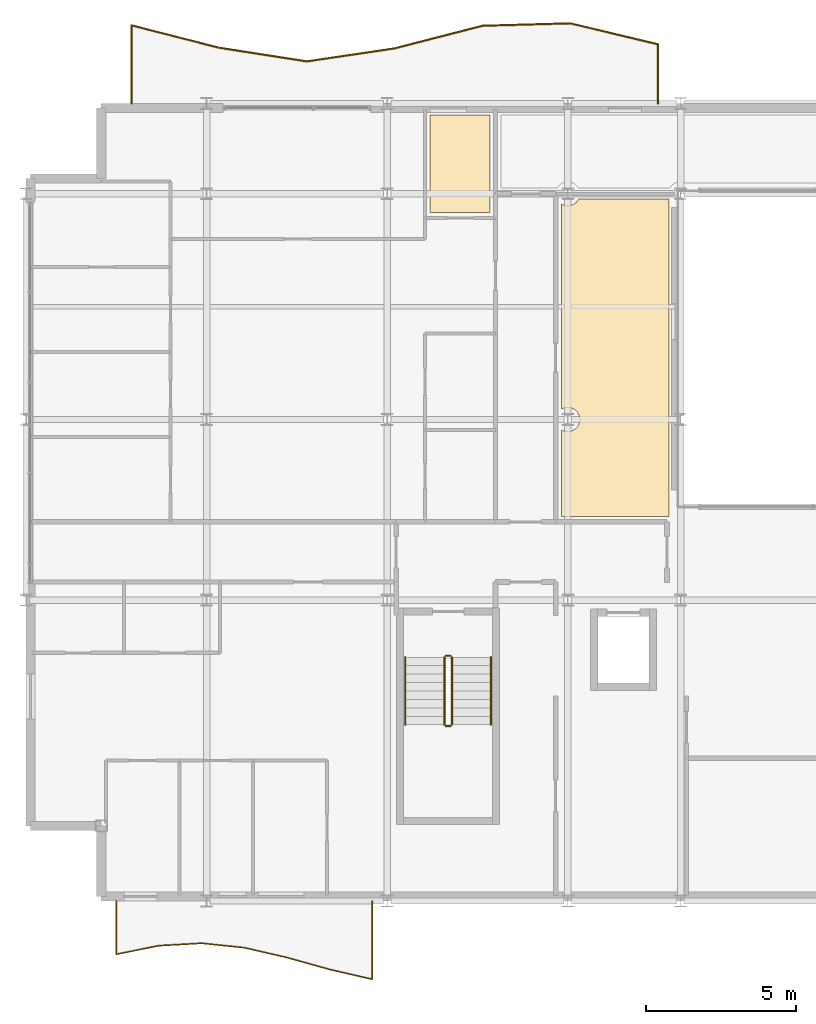
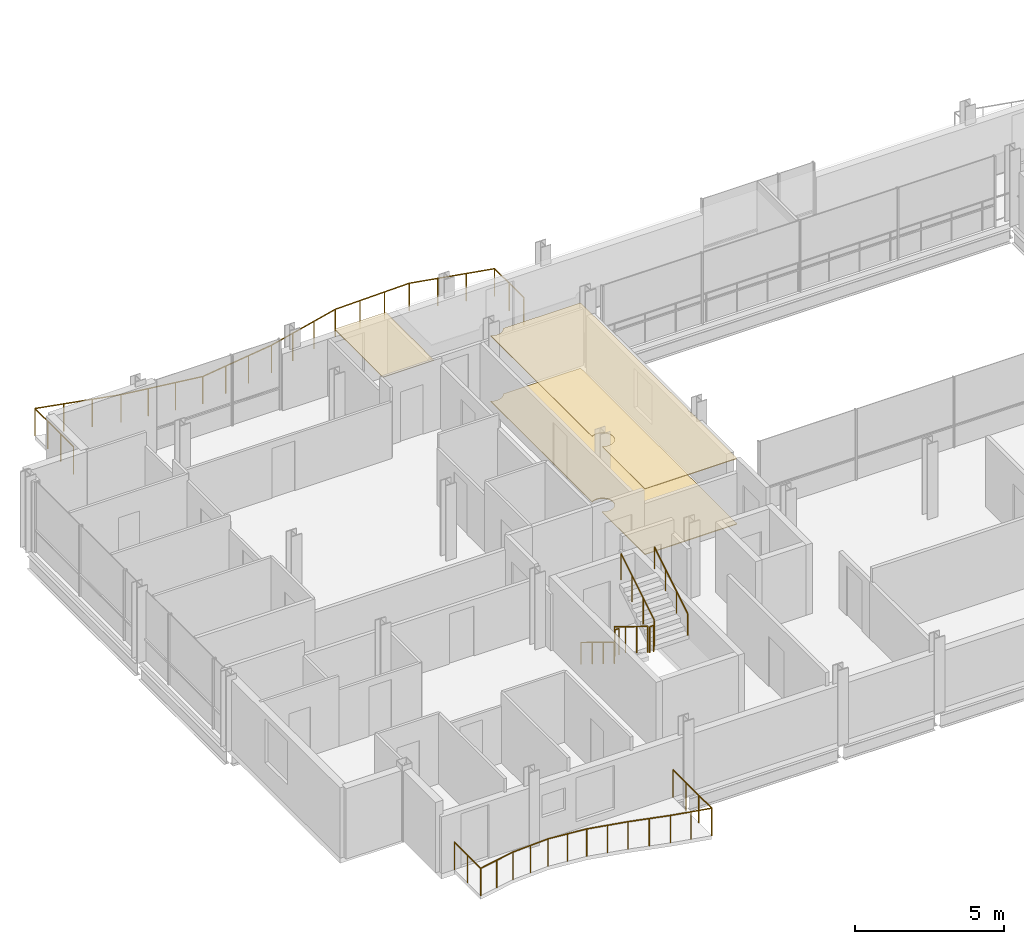
# One storey, part 33 of 35: 8 railings, 3 coverings.
"""IFC4 building model written with IfcOpenShell, lengths in metres."""

import ifcopenshell
import ifcopenshell.guid

model = None  # the IFC model being written
_history = None  # IfcOwnerHistory: only IFC2X3 demands one
_inside = {}  # id of a spatial element -> (the spatial element, [elements in it])
_under = {}  # id of a project, library or spatial element -> (it, [spatial elements below it])
_declared = {}  # id of a project -> (the project, [libraries it declares])
_typed = {}  # id of a type object -> (the type object, [elements of that type])
_made_of = {}  # id of a material, layer set ... -> (it, [elements and type objects made of it])


def new_model(schema):
    """Start an empty IFC model of exactly this schema.

    Asked for "IFC4X3", IfcOpenShell would pick the latest addendum, in which some entities
    have other attributes; the version numbers below select the first issue.
    IFC2X3 requires an IfcOwnerHistory on every rooted entity: one is made here for all.
    """
    global model, _history
    if schema == "IFC4X3":
        model = ifcopenshell.file(schema_version=(4, 3, 0, 0))
    else:
        model = ifcopenshell.file(schema=schema)
    _inside.clear()
    _under.clear()
    _declared.clear()
    _typed.clear()
    _made_of.clear()
    _history = None
    if model.schema == "IFC2X3":
        org = make("IfcOrganization", Name="unknown")
        user = make(
            "IfcPersonAndOrganization",
            ThePerson=make("IfcPerson", FamilyName="unknown"),
            TheOrganization=org,
        )
        app = make(
            "IfcApplication",
            ApplicationDeveloper=org,
            Version="unknown",
            ApplicationFullName="unknown",
            ApplicationIdentifier="unknown",
        )
        _history = make(
            "IfcOwnerHistory",
            OwningUser=user,
            OwningApplication=app,
            ChangeAction="ADDED",
            CreationDate=0,
        )
    return model


def make(cls, **values):
    """One entity of the class cls with the attributes given. An attribute that is None is left unset."""
    return model.create_entity(
        cls, **{name: value for name, value in values.items() if value is not None}
    )


def rooted(cls, **values):
    """An entity with a GlobalId (a new one), such as an element, a storey or a relation."""
    return make(cls, GlobalId=ifcopenshell.guid.new(), OwnerHistory=_history, **values)


def si_unit(unit_type, name, prefix=None):
    """IfcSIUnit, for example si_unit("LENGTHUNIT", "METRE", prefix="MILLI")."""
    return make("IfcSIUnit", UnitType=unit_type, Prefix=prefix, Name=name)


def assignment(units):
    """IfcUnitAssignment: the units of a project."""
    return None if units is None else make("IfcUnitAssignment", Units=units)


def point(xyz):
    """IfcCartesianPoint."""
    return None if xyz is None else make("IfcCartesianPoint", Coordinates=xyz)


def direction(xyz):
    """IfcDirection."""
    return None if xyz is None else make("IfcDirection", DirectionRatios=xyz)


def frame(location, z_axis=None, x_axis=None):
    """IfcAxis2Placement3D, a coordinate frame: its origin and axes. An axis left out is left unset."""
    return make(
        "IfcAxis2Placement3D",
        Location=point(location),
        Axis=direction(z_axis),
        RefDirection=direction(x_axis),
    )


def frame_2d(location, x_axis=None):
    """IfcAxis2Placement2D, a coordinate frame in the plane: its origin and x axis."""
    return make(
        "IfcAxis2Placement2D", Location=point(location), RefDirection=direction(x_axis)
    )


def origin():
    """The frame at (0, 0, 0) with its axes left unset."""
    return frame((0.0, 0.0, 0.0))


def origin_2d():
    """The frame at (0, 0) in the plane with its x axis left unset."""
    return frame_2d((0.0, 0.0))


def place(relative_to, where):
    """IfcLocalPlacement: puts the frame where relative to a parent placement (None: the world)."""
    return make(
        "IfcLocalPlacement", PlacementRelTo=relative_to, RelativePlacement=where
    )


def context(
    kind, dimensions, precision=None, world=None, true_north=None, identifier=None
):
    """IfcGeometricRepresentationContext, for example the 3D "Model" context."""
    return make(
        "IfcGeometricRepresentationContext",
        ContextIdentifier=identifier,
        ContextType=kind,
        CoordinateSpaceDimension=dimensions,
        Precision=precision,
        WorldCoordinateSystem=world,
        TrueNorth=true_north,
    )


def subcontext(parent, identifier, kind, view, scale=None):
    """IfcGeometricRepresentationSubContext, for example "Body" below "Model"."""
    return make(
        "IfcGeometricRepresentationSubContext",
        ContextIdentifier=identifier,
        ContextType=kind,
        ParentContext=parent,
        TargetScale=scale,
        TargetView=view,
    )


def project(units=None, contexts=None):
    """IfcProject with its units and contexts."""
    return rooted(
        "IfcProject",
        Name="project",
        RepresentationContexts=contexts,
        UnitsInContext=assignment(units),
    )


def spatial(cls, under=None, at=None, **own):
    """A site, building, storey or space (cls), placed at a placement, below another one or the project."""
    s = rooted(cls, ObjectPlacement=at, **own)
    if under is not None:
        _under.setdefault(under.id(), (under, []))[1].append(s)
    return s


def polyline(points):
    """IfcPolyline through the points."""
    return make("IfcPolyline", Points=[point(p) for p in points])


def profile(cls, at=None, kind="AREA", **sizes):
    """A parametric profile (cls). Its sizes go by their IFC names, for example OverallWidth=200.0."""
    return make(cls, ProfileType=kind, Position=at, **sizes)


def circle(**sizes):
    """IfcCircleProfileDef."""
    return profile("IfcCircleProfileDef", **sizes)


def outline(outer, holes=None, kind="AREA"):
    """IfcArbitraryClosedProfileDef: a profile drawn as a closed curve; with holes, ...WithVoids."""
    if holes is None:
        return make("IfcArbitraryClosedProfileDef", ProfileType=kind, OuterCurve=outer)
    return make(
        "IfcArbitraryProfileDefWithVoids",
        ProfileType=kind,
        OuterCurve=outer,
        InnerCurves=holes,
    )


def extrude(swept, where, along, depth):
    """IfcExtrudedAreaSolid: the profile swept, set in the frame where, extruded along a direction by depth."""
    return make(
        "IfcExtrudedAreaSolid",
        SweptArea=swept,
        Position=where,
        ExtrudedDirection=direction(along),
        Depth=depth,
    )


def shape(context_of_items, identifier, shape_type, items):
    """IfcShapeRepresentation: the items that make up one representation, for example the "Body"."""
    return make(
        "IfcShapeRepresentation",
        ContextOfItems=context_of_items,
        RepresentationIdentifier=identifier,
        RepresentationType=shape_type,
        Items=items,
    )


def material(Name=None, Category=None):
    """IfcMaterial."""
    return make("IfcMaterial", Name=Name, Category=Category)


def layer(
    of_material, thickness, ventilated=None, Name=None, Category=None, Priority=None
):
    """IfcMaterialLayer: one layer of a wall or slab, of a material (None: an air gap)."""
    return make(
        "IfcMaterialLayer",
        Material=of_material,
        LayerThickness=thickness,
        IsVentilated=ventilated,
        Name=Name,
        Category=Category,
        Priority=Priority,
    )


def layer_set(layers, Name=None):
    """IfcMaterialLayerSet."""
    return make("IfcMaterialLayerSet", MaterialLayers=layers, LayerSetName=Name)


def made_of(thing, what):
    """Note that an element or type object is made of a material, layer set ...; save() writes the relation."""
    if what is not None:
        _made_of.setdefault(what.id(), (what, []))[1].append(thing)
    return thing


def type_object(cls, material=None, **own):
    """A type object (cls), such as IfcWallType, which elements share."""
    return made_of(rooted(cls, **own), material)


def element(
    cls,
    number,
    at=None,
    inside=None,
    cuts=None,
    type_object=None,
    material=None,
    context=None,
    identifier="Body",
    shape_type=None,
    held_by="IfcProductDefinitionShape",
    body=None,
    shapes=None,
    **own,
):
    """One element of the class cls, such as IfcWall. Its Tag is "e" and its number.

    at: its placement. inside: the storey or other place that contains it. cuts: it is an
    opening in that element (IfcRelVoidsElement). A single representation is given by context,
    identifier, shape_type and body (its items); several are given by shapes. held_by: the class
    of the entity that holds the representations. save() writes the other relations.
    """
    e = rooted(cls, Tag="e%d" % number, ObjectPlacement=at, **own)
    if body is not None:
        shapes = [shape(context, identifier, shape_type, body)]
    if shapes is not None:
        e.Representation = make(held_by, Representations=shapes)
    if inside is not None:
        _inside.setdefault(inside.id(), (inside, []))[1].append(e)
    if cuts is not None:
        rooted(
            "IfcRelVoidsElement", RelatingBuildingElement=cuts, RelatedOpeningElement=e
        )
    if type_object is not None:
        _typed.setdefault(type_object.id(), (type_object, []))[1].append(e)
    return made_of(e, material)


def aggregate(whole, parts):
    """IfcRelAggregates: a whole, such as a stair, and the parts it consists of."""
    return rooted("IfcRelAggregates", RelatingObject=whole, RelatedObjects=parts)


def save(model, path):
    """Write the relations noted so far, then the file.

    IfcRelAggregates (storeys below a building ...), IfcRelContainedInSpatialStructure (elements
    in a storey), IfcRelDefinesByType, IfcRelAssociatesMaterial and IfcRelDeclares: one each for
    every whole, place, type object, material and project.
    """
    for whole, parts in _under.values():
        aggregate(whole, parts)
    for where, things in _inside.values():
        rooted(
            "IfcRelContainedInSpatialStructure",
            RelatedElements=things,
            RelatingStructure=where,
        )
    for kind, things in _typed.values():
        rooted("IfcRelDefinesByType", RelatedObjects=things, RelatingType=kind)
    for what, things in _made_of.values():
        rooted("IfcRelAssociatesMaterial", RelatedObjects=things, RelatingMaterial=what)
    for by, libraries in _declared.values():
        rooted("IfcRelDeclares", RelatingContext=by, RelatedDefinitions=libraries)
    model.write(path)


model = new_model("IFC4")

# Units and contexts
model_context = context("Model", 3, precision=1e-05, world=origin(), true_north=direction((0.0, 1.0)))
body_context = subcontext(model_context, "Body", "Model", "MODEL_VIEW")
ifc_project = project(units=[si_unit("LENGTHUNIT", "METRE"), si_unit("AREAUNIT", "SQUARE_METRE"), si_unit("VOLUMEUNIT", "CUBIC_METRE"), si_unit("PLANEANGLEUNIT", "RADIAN"), si_unit("MASSUNIT", "GRAM", prefix="KILO")], contexts=[model_context])

# Site, building, storey
site_placement = place(None, origin())
site = spatial("IfcSite", under=ifc_project, at=site_placement, CompositionType="ELEMENT")
building_placement = place(site_placement, origin())
building = spatial("IfcBuilding", under=site, at=building_placement, Name="Brevholm Reach", CompositionType="ELEMENT")
storey_placement = place(building_placement, frame((0.0, 0.0, 183.199951171875)))
storey = spatial("IfcBuildingStorey", under=building, at=storey_placement, Name="L55", CompositionType="ELEMENT", Elevation=183.199951171875)

# Coverings
ifc_material_1 = material(Name="Moisture-Resistant Skimmed Gypsum Plasterboard Ceiling", Category="gypsum")
ifc_layer_1 = layer(ifc_material_1, 0.030029296875)
ifc_layer_set_1 = layer_set([ifc_layer_1], Name="Moisture-Resistant Skimmed Gypsum Plasterboard Ceiling")
covering_type_1 = type_object("IfcCoveringType", Name="COV-CLG-GYP", PredefinedType="CEILING", material=ifc_layer_set_1)
covering_1_placement = place(storey_placement, frame((0.0, 0.0, 2.68994140625)))
element("IfcCovering", 1, at=covering_1_placement, inside=storey, type_object=covering_type_1, Name="L55 Suspended Ceiling L55-39", PredefinedType="CEILING", context=body_context, shape_type="SweptSolid", body=[
    extrude(outline(polyline([(13.429931640625, 26.1201171875), (15.419921875, 26.1201171875), (15.419921875, 23.537353515625), (15.41943359375, 23.53515625), (15.4169921875, 23.517578125), (15.416015625, 23.5), (15.416015625, 22.8798828125), (13.429931640625, 22.8798828125), (13.429931640625, 26.1201171875)])), origin(), (0.0, 0.0, 1.0), 0.030029296875),
])
covering_2_placement = place(storey_placement, frame((0.0, 0.0, 2.68994140625)))
element("IfcCovering", 2, at=covering_2_placement, inside=storey, type_object=covering_type_1, Name="L55 Suspended Ceiling L55-53", PredefinedType="CEILING", context=body_context, shape_type="SweptSolid", body=[
    extrude(outline(polyline([(21.3701171875, 23.320068359375), (21.3701171875, 16.123779296875), (21.3671875, 16.1162109375), (21.357666015625, 16.077880859375), (21.351806640625, 16.039306640625), (21.35009765625, 16.0), (21.351806640625, 15.960693359375), (21.357666015625, 15.922119140625), (21.3671875, 15.8837890625), (21.3701171875, 15.876220703125), (21.3701171875, 12.783935546875), (17.783935546875, 12.783935546875), (17.783935546875, 15.663818359375), (17.811279296875, 15.647216796875), (17.846923828125, 15.63037109375), (17.8837890625, 15.6171875), (17.922119140625, 15.607666015625), (17.960693359375, 15.601806640625), (18.0, 15.60009765625), (18.039306640625, 15.601806640625), (18.077880859375, 15.607666015625), (18.1162109375, 15.6171875), (18.153076171875, 15.63037109375), (18.188720703125, 15.647216796875), (18.22216796875, 15.66748046875), (18.25390625, 15.69091796875), (18.28271484375, 15.71728515625), (18.30908203125, 15.74609375), (18.33251953125, 15.77783203125), (18.352783203125, 15.811279296875), (18.36962890625, 15.846923828125), (18.3828125, 15.8837890625), (18.392333984375, 15.922119140625), (18.398193359375, 15.960693359375), (18.39990234375, 16.0), (18.398193359375, 16.039306640625), (18.392333984375, 16.077880859375), (18.3828125, 16.1162109375), (18.36962890625, 16.153076171875), (18.352783203125, 16.188720703125), (18.33251953125, 16.22216796875), (18.30908203125, 16.25390625), (18.28271484375, 16.28271484375), (18.25390625, 16.30908203125), (18.22216796875, 16.33251953125), (18.188720703125, 16.352783203125), (18.153076171875, 16.36962890625), (18.1162109375, 16.3828125), (18.077880859375, 16.392333984375), (18.039306640625, 16.398193359375), (18.0, 16.39990234375), (17.960693359375, 16.398193359375), (17.922119140625, 16.392333984375), (17.8837890625, 16.3828125), (17.846923828125, 16.36962890625), (17.811279296875, 16.352783203125), (17.783935546875, 16.336181640625), (17.783935546875, 23.163818359375), (17.811279296875, 23.147216796875), (17.846923828125, 23.13037109375), (17.8837890625, 23.1171875), (17.922119140625, 23.107666015625), (17.960693359375, 23.101806640625), (18.0, 23.10009765625), (18.039306640625, 23.101806640625), (18.077880859375, 23.107666015625), (18.1162109375, 23.1171875), (18.153076171875, 23.13037109375), (18.188720703125, 23.147216796875), (18.22216796875, 23.16748046875), (18.25390625, 23.19091796875), (18.28271484375, 23.21728515625), (18.30908203125, 23.24609375), (18.33251953125, 23.27783203125), (18.352783203125, 23.311279296875), (18.356689453125, 23.320068359375), (21.3701171875, 23.320068359375)])), origin(), (0.0, 0.0, 1.0), 0.030029296875),
])
ifc_material_2 = material(Name="Honed Portland-Aggregate Resin Terrazzo Flooring", Category="concrete")
ifc_layer_2 = layer(ifc_material_2, 0.031982421875)
ifc_layer_set_2 = layer_set([ifc_layer_2], Name="Honed Portland-Aggregate Resin Terrazzo Flooring")
covering_type_2 = type_object("IfcCoveringType", Name="COV-FLR-TRZ", PredefinedType="FLOORING", material=ifc_layer_set_2)
covering_3_placement = place(storey_placement, origin())
element("IfcCovering", 3, at=covering_3_placement, inside=storey, type_object=covering_type_2, Name="L55 Floor Finish L55-53", PredefinedType="FLOORING", context=body_context, shape_type="SweptSolid", body=[
    extrude(outline(polyline([(21.3701171875, 23.320068359375), (21.3701171875, 16.123779296875), (21.3671875, 16.1162109375), (21.357666015625, 16.077880859375), (21.351806640625, 16.039306640625), (21.35009765625, 16.0), (21.351806640625, 15.960693359375), (21.357666015625, 15.922119140625), (21.3671875, 15.8837890625), (21.3701171875, 15.876220703125), (21.3701171875, 12.783935546875), (17.783935546875, 12.783935546875), (17.783935546875, 15.663818359375), (17.811279296875, 15.647216796875), (17.846923828125, 15.63037109375), (17.8837890625, 15.6171875), (17.922119140625, 15.607666015625), (17.960693359375, 15.601806640625), (18.0, 15.60009765625), (18.039306640625, 15.601806640625), (18.077880859375, 15.607666015625), (18.1162109375, 15.6171875), (18.153076171875, 15.63037109375), (18.188720703125, 15.647216796875), (18.22216796875, 15.66748046875), (18.25390625, 15.69091796875), (18.28271484375, 15.71728515625), (18.30908203125, 15.74609375), (18.33251953125, 15.77783203125), (18.352783203125, 15.811279296875), (18.36962890625, 15.846923828125), (18.3828125, 15.8837890625), (18.392333984375, 15.922119140625), (18.398193359375, 15.960693359375), (18.39990234375, 16.0), (18.398193359375, 16.039306640625), (18.392333984375, 16.077880859375), (18.3828125, 16.1162109375), (18.36962890625, 16.153076171875), (18.352783203125, 16.188720703125), (18.33251953125, 16.22216796875), (18.30908203125, 16.25390625), (18.28271484375, 16.28271484375), (18.25390625, 16.30908203125), (18.22216796875, 16.33251953125), (18.188720703125, 16.352783203125), (18.153076171875, 16.36962890625), (18.1162109375, 16.3828125), (18.077880859375, 16.392333984375), (18.039306640625, 16.398193359375), (18.0, 16.39990234375), (17.960693359375, 16.398193359375), (17.922119140625, 16.392333984375), (17.8837890625, 16.3828125), (17.846923828125, 16.36962890625), (17.811279296875, 16.352783203125), (17.783935546875, 16.336181640625), (17.783935546875, 23.163818359375), (17.811279296875, 23.147216796875), (17.846923828125, 23.13037109375), (17.8837890625, 23.1171875), (17.922119140625, 23.107666015625), (17.960693359375, 23.101806640625), (18.0, 23.10009765625), (18.039306640625, 23.101806640625), (18.077880859375, 23.107666015625), (18.1162109375, 23.1171875), (18.153076171875, 23.13037109375), (18.188720703125, 23.147216796875), (18.22216796875, 23.16748046875), (18.25390625, 23.19091796875), (18.28271484375, 23.21728515625), (18.30908203125, 23.24609375), (18.33251953125, 23.27783203125), (18.352783203125, 23.311279296875), (18.356689453125, 23.320068359375), (21.3701171875, 23.320068359375)])), origin(), (0.0, 0.0, 1.0), 0.031982421875),
])

# Railings
ifc_material_3 = material(Name="Brushed Stainless Steel EN 1.4401 and Laminated Glass", Category="steel")
railing_type_1 = type_object("IfcRailingType", Name="RAL-BALC-1150", PredefinedType="BALUSTRADE", material=ifc_material_3)
railing_1_placement = place(storey_placement, frame((21.0, 26.5, 0.0)))
element("IfcRailing", 4, at=railing_1_placement, inside=storey, type_object=railing_type_1, Name="L55 Guard Balustrade RAL-L55-BAL-NW", PredefinedType="BALUSTRADE", context=body_context, shape_type="SweptSolid", body=[
    extrude(circle(Radius=0.02392578125, at=origin_2d()), frame((0.0, 0.0, 1.1259765625), z_axis=(0.0, 1.0, 0.0), x_axis=(-1.0, 0.0, 0.0)), (0.0, 0.0, 1.0), 1.969482421875),
    extrude(circle(Radius=0.02392578125, at=origin_2d()), frame((0.0, 1.969482421875, 1.1259765625), z_axis=(-0.972705660557, 0.23204244853, 0.0), x_axis=(-0.23204244853, -0.972705660557, 0.0)), (0.0, 0.0, 1.0), 2.99853515625),
    extrude(circle(Radius=0.02392578125, at=origin_2d()), frame((-2.916748046875, 2.665283203125, 1.1259765625), z_axis=(-0.99961635372, -0.027697389342, 0.0), x_axis=(0.027697389342, -0.99961635372, 0.0)), (0.0, 0.0, 1.0), 2.917724609375),
    extrude(circle(Radius=0.02392578125, at=origin_2d()), frame((-5.833251953125, 2.58447265625, 1.1259765625), z_axis=(-0.968377202247, -0.2494906695, 0.0), x_axis=(0.2494906695, -0.968377202247, 0.0)), (0.0, 0.0, 1.0), 3.011962890625),
    extrude(circle(Radius=0.02392578125, at=origin_2d()), frame((-8.75, 1.8330078125, 1.1259765625), z_axis=(-0.98916653389, -0.146797711943, 0.0), x_axis=(0.146797711943, -0.98916653389, 0.0)), (0.0, 0.0, 1.0), 2.94873046875),
    extrude(circle(Radius=0.02392578125, at=origin_2d()), frame((-11.666748046875, 1.400146484375, 1.1259765625), z_axis=(-0.988044338858, 0.154169985571, 0.0), x_axis=(-0.154169985571, -0.988044338858, 0.0)), (0.0, 0.0, 1.0), 2.951904296875),
    extrude(circle(Radius=0.02392578125, at=origin_2d()), frame((-14.583251953125, 1.855224609375, 1.1259765625), z_axis=(-0.968942936238, 0.247284423921, 0.0), x_axis=(-0.247284423921, -0.968942936238, 0.0)), (0.0, 0.0, 1.0), 3.01025390625),
    extrude(circle(Radius=0.02392578125, at=origin_2d()), frame((-17.5, 2.599609375, 1.1259765625), z_axis=(0.0, -1.0, 0.0), x_axis=(1.0, 0.0, 0.0)), (0.0, 0.0, 1.0), 2.599609375),
    extrude(circle(Radius=0.02099609375, at=origin_2d()), origin(), (0.0, 0.0, 1.0), 1.101806640625),
    extrude(circle(Radius=0.02099609375, at=origin_2d()), frame((0.0, 0.98486328125, 0.0)), (0.0, 0.0, 1.0), 1.101806640625),
    extrude(circle(Radius=0.02099609375, at=origin_2d()), frame((0.0, 1.969482421875, 0.0)), (0.0, 0.0, 1.0), 1.101806640625),
    extrude(circle(Radius=0.02099609375, at=origin_2d()), frame((-0.97216796875, 2.201416015625, 0.0)), (0.0, 0.0, 1.0), 1.101806640625),
    extrude(circle(Radius=0.02099609375, at=origin_2d()), frame((-1.944580078125, 2.433349609375, 0.0)), (0.0, 0.0, 1.0), 1.101806640625),
    extrude(circle(Radius=0.02099609375, at=origin_2d()), frame((-2.916748046875, 2.665283203125, 0.0)), (0.0, 0.0, 1.0), 1.101806640625),
    extrude(circle(Radius=0.02099609375, at=origin_2d()), frame((-3.888916015625, 2.638427734375, 0.0)), (0.0, 0.0, 1.0), 1.101806640625),
    extrude(circle(Radius=0.02099609375, at=origin_2d()), frame((-4.861083984375, 2.611328125, 0.0)), (0.0, 0.0, 1.0), 1.101806640625),
    extrude(circle(Radius=0.02099609375, at=origin_2d()), frame((-5.833251953125, 2.58447265625, 0.0)), (0.0, 0.0, 1.0), 1.101806640625),
    extrude(circle(Radius=0.02099609375, at=origin_2d()), frame((-6.805419921875, 2.333984375, 0.0)), (0.0, 0.0, 1.0), 1.101806640625),
    extrude(circle(Radius=0.02099609375, at=origin_2d()), frame((-7.77783203125, 2.08349609375, 0.0)), (0.0, 0.0, 1.0), 1.101806640625),
    extrude(circle(Radius=0.02099609375, at=origin_2d()), frame((-8.75, 1.8330078125, 0.0)), (0.0, 0.0, 1.0), 1.101806640625),
    extrude(circle(Radius=0.02099609375, at=origin_2d()), frame((-9.72216796875, 1.688720703125, 0.0)), (0.0, 0.0, 1.0), 1.101806640625),
    extrude(circle(Radius=0.02099609375, at=origin_2d()), frame((-10.694580078125, 1.54443359375, 0.0)), (0.0, 0.0, 1.0), 1.101806640625),
    extrude(circle(Radius=0.02099609375, at=origin_2d()), frame((-11.666748046875, 1.400146484375, 0.0)), (0.0, 0.0, 1.0), 1.101806640625),
    extrude(circle(Radius=0.02099609375, at=origin_2d()), frame((-12.638916015625, 1.5517578125, 0.0)), (0.0, 0.0, 1.0), 1.101806640625),
    extrude(circle(Radius=0.02099609375, at=origin_2d()), frame((-13.611083984375, 1.70361328125, 0.0)), (0.0, 0.0, 1.0), 1.101806640625),
    extrude(circle(Radius=0.02099609375, at=origin_2d()), frame((-14.583251953125, 1.855224609375, 0.0)), (0.0, 0.0, 1.0), 1.101806640625),
    extrude(circle(Radius=0.02099609375, at=origin_2d()), frame((-15.555419921875, 2.103271484375, 0.0)), (0.0, 0.0, 1.0), 1.101806640625),
    extrude(circle(Radius=0.02099609375, at=origin_2d()), frame((-16.52783203125, 2.3515625, 0.0)), (0.0, 0.0, 1.0), 1.101806640625),
    extrude(circle(Radius=0.02099609375, at=origin_2d()), frame((-17.5, 2.599609375, 0.0)), (0.0, 0.0, 1.0), 1.101806640625),
    extrude(circle(Radius=0.02099609375, at=origin_2d()), frame((-17.5, 1.733154296875, 0.0)), (0.0, 0.0, 1.0), 1.101806640625),
    extrude(circle(Radius=0.02099609375, at=origin_2d()), frame((-17.5, 0.866455078125, 0.0)), (0.0, 0.0, 1.0), 1.101806640625),
    extrude(circle(Radius=0.02099609375, at=origin_2d()), frame((-17.5, 0.0, 0.0)), (0.0, 0.0, 1.0), 1.101806640625),
])
railing_2_placement = place(storey_placement, frame((3.0, 0.0, 0.0)))
element("IfcRailing", 5, at=railing_2_placement, inside=storey, type_object=railing_type_1, Name="L55 Guard Balustrade RAL-L55-BAL-SW", PredefinedType="BALUSTRADE", context=body_context, shape_type="SweptSolid", body=[
    extrude(circle(Radius=0.02392578125, at=origin_2d()), frame((0.0, 0.0, 1.1259765625), z_axis=(0.0, -1.0, 0.0), x_axis=(1.0, 0.0, 0.0)), (0.0, 0.0, 1.0), 1.7685546875),
    extrude(circle(Radius=0.02392578125, at=origin_2d()), frame((0.0, -1.7685546875, 1.1259765625), z_axis=(0.980502614423, 0.196506038355, 0.0), x_axis=(-0.196506038355, 0.980502614423, 0.0)), (0.0, 0.0, 1.0), 1.44482421875),
    extrude(circle(Radius=0.02392578125, at=origin_2d()), frame((1.416748046875, -1.484619140625, 1.1259765625), z_axis=(0.998327360231, 0.057814200799, 0.0), x_axis=(-0.057814200799, 0.998327360231, 0.0)), (0.0, 0.0, 1.0), 1.4189453125),
    extrude(circle(Radius=0.02392578125, at=origin_2d()), frame((2.833251953125, -1.402587890625, 1.1259765625), z_axis=(0.994609205974, -0.103694394212, 0.0), x_axis=(0.103694394212, 0.994609205974, 0.0)), (0.0, 0.0, 1.0), 1.42431640625),
    extrude(circle(Radius=0.02392578125, at=origin_2d()), frame((4.25, -1.55029296875, 1.1259765625), z_axis=(0.974323236677, -0.225153792932, 0.0), x_axis=(0.225153792932, 0.974323236677, 0.0)), (0.0, 0.0, 1.0), 1.4541015625),
    extrude(circle(Radius=0.02392578125, at=origin_2d()), frame((5.666748046875, -1.877685546875, 1.1259765625), z_axis=(0.963289212232, -0.268465814578, 0.0), x_axis=(0.268465814578, 0.963289212232, 0.0)), (0.0, 0.0, 1.0), 1.470458984375),
    extrude(circle(Radius=0.02392578125, at=origin_2d()), frame((7.083251953125, -2.2724609375, 1.1259765625), z_axis=(0.974360057668, -0.224994395533, 0.0), x_axis=(0.224994395533, 0.974360057668, 0.0)), (0.0, 0.0, 1.0), 1.4541015625),
    extrude(circle(Radius=0.02392578125, at=origin_2d()), frame((8.5, -2.599609375, 1.1259765625), z_axis=(0.0, 1.0, 0.0), x_axis=(-1.0, 0.0, 0.0)), (0.0, 0.0, 1.0), 2.599609375),
    extrude(circle(Radius=0.02099609375, at=origin_2d()), origin(), (0.0, 0.0, 1.0), 1.101806640625),
    extrude(circle(Radius=0.02099609375, at=origin_2d()), frame((0.0, -0.88427734375, 0.0)), (0.0, 0.0, 1.0), 1.101806640625),
    extrude(circle(Radius=0.02099609375, at=origin_2d()), frame((0.0, -1.7685546875, 0.0)), (0.0, 0.0, 1.0), 1.101806640625),
    extrude(circle(Radius=0.02099609375, at=origin_2d()), frame((0.70849609375, -1.62646484375, 0.0)), (0.0, 0.0, 1.0), 1.101806640625),
    extrude(circle(Radius=0.02099609375, at=origin_2d()), frame((1.416748046875, -1.484619140625, 0.0)), (0.0, 0.0, 1.0), 1.101806640625),
    extrude(circle(Radius=0.02099609375, at=origin_2d()), frame((2.125, -1.443603515625, 0.0)), (0.0, 0.0, 1.0), 1.101806640625),
    extrude(circle(Radius=0.02099609375, at=origin_2d()), frame((2.833251953125, -1.402587890625, 0.0)), (0.0, 0.0, 1.0), 1.101806640625),
    extrude(circle(Radius=0.02099609375, at=origin_2d()), frame((3.54150390625, -1.4765625, 0.0)), (0.0, 0.0, 1.0), 1.101806640625),
    extrude(circle(Radius=0.02099609375, at=origin_2d()), frame((4.25, -1.55029296875, 0.0)), (0.0, 0.0, 1.0), 1.101806640625),
    extrude(circle(Radius=0.02099609375, at=origin_2d()), frame((4.95849609375, -1.7138671875, 0.0)), (0.0, 0.0, 1.0), 1.101806640625),
    extrude(circle(Radius=0.02099609375, at=origin_2d()), frame((5.666748046875, -1.877685546875, 0.0)), (0.0, 0.0, 1.0), 1.101806640625),
    extrude(circle(Radius=0.02099609375, at=origin_2d()), frame((6.375, -2.0751953125, 0.0)), (0.0, 0.0, 1.0), 1.101806640625),
    extrude(circle(Radius=0.02099609375, at=origin_2d()), frame((7.083251953125, -2.2724609375, 0.0)), (0.0, 0.0, 1.0), 1.101806640625),
    extrude(circle(Radius=0.02099609375, at=origin_2d()), frame((7.79150390625, -2.43603515625, 0.0)), (0.0, 0.0, 1.0), 1.101806640625),
    extrude(circle(Radius=0.02099609375, at=origin_2d()), frame((8.5, -2.599609375, 0.0)), (0.0, 0.0, 1.0), 1.101806640625),
    extrude(circle(Radius=0.02099609375, at=origin_2d()), frame((8.5, -1.733154296875, 0.0)), (0.0, 0.0, 1.0), 1.101806640625),
    extrude(circle(Radius=0.02099609375, at=origin_2d()), frame((8.5, -0.866455078125, 0.0)), (0.0, 0.0, 1.0), 1.101806640625),
    extrude(circle(Radius=0.02099609375, at=origin_2d()), frame((8.5, 0.0, 0.0)), (0.0, 0.0, 1.0), 1.101806640625),
])
ifc_material_4 = material(Name="Brushed Stainless Steel EN 1.4401 Continuous Handrail", Category="steel")
railing_type_2 = type_object("IfcRailingType", Name="RAL-HND-950", PredefinedType="HANDRAIL", material=ifc_material_4)
railing_3_placement = place(storey_placement, frame((12.60009765625, 8.10009765625, 0.17236328125)))
element("IfcRailing", 6, at=railing_3_placement, inside=storey, type_object=railing_type_2, Name="L55 ST-1 stair handrail 1", PredefinedType="HANDRAIL", context=body_context, shape_type="SweptSolid", body=[
    extrude(circle(Radius=0.02392578125, at=origin_2d()), frame((0.0, 0.0, 0.8857421875), z_axis=(0.0, -0.85178898068, 0.523885037382), x_axis=(1.0, 0.0, 0.0)), (0.0, 0.0, 1.0), 2.629638671875),
    extrude(circle(Radius=0.02099609375, at=origin_2d()), origin(), (0.0, 0.0, 1.0), 0.86181640625),
    extrude(circle(Radius=0.02099609375, at=origin_2d()), frame((0.0, -0.74658203125, 0.459228515625)), (0.0, 0.0, 1.0), 0.86181640625),
    extrude(circle(Radius=0.02099609375, at=origin_2d()), frame((0.0, -1.493408203125, 0.91845703125)), (0.0, 0.0, 1.0), 0.86181640625),
    extrude(circle(Radius=0.02099609375, at=origin_2d()), frame((0.0, -2.239990234375, 1.377685546875)), (0.0, 0.0, 1.0), 0.86181640625),
])
railing_4_placement = place(storey_placement, frame((15.449951171875, 5.860107421875, 1.72216796875)))
element("IfcRailing", 7, at=railing_4_placement, inside=storey, type_object=railing_type_2, Name="L55 ST-1 stair handrail 2", PredefinedType="HANDRAIL", context=body_context, shape_type="SweptSolid", body=[
    extrude(circle(Radius=0.02392578125, at=origin_2d()), frame((0.0, 0.0, 0.8857421875), z_axis=(0.0, 0.851747552033, 0.523952390591), x_axis=(-1.0, 0.0, 0.0)), (0.0, 0.0, 1.0), 2.6298828125),
    extrude(circle(Radius=0.02099609375, at=origin_2d()), origin(), (0.0, 0.0, 1.0), 0.86181640625),
    extrude(circle(Radius=0.02099609375, at=origin_2d()), frame((0.0, 0.74658203125, 0.459228515625)), (0.0, 0.0, 1.0), 0.86181640625),
    extrude(circle(Radius=0.02099609375, at=origin_2d()), frame((0.0, 1.493408203125, 0.918701171875)), (0.0, 0.0, 1.0), 0.86181640625),
    extrude(circle(Radius=0.02099609375, at=origin_2d()), frame((0.0, 2.239990234375, 1.3779296875)), (0.0, 0.0, 1.0), 0.86181640625),
])
ifc_material_5 = material(Name="Painted Tubular Galvanised Steel S275JR Stair Guard", Category="steel")
railing_type_3 = type_object("IfcRailingType", Name="RAL-STG-1120", PredefinedType="BALUSTRADE", material=ifc_material_5)
railing_5_placement = place(storey_placement, frame((13.89990234375, 8.10009765625, 0.17236328125)))
element("IfcRailing", 8, at=railing_5_placement, inside=storey, type_object=railing_type_3, Name="L55 ST-1 stair guard 1", PredefinedType="BALUSTRADE", context=body_context, shape_type="SweptSolid", body=[
    extrude(circle(Radius=0.02392578125, at=origin_2d()), frame((0.0, 0.0, 1.076171875), z_axis=(0.0, -0.85178898068, 0.523885037382), x_axis=(1.0, 0.0, 0.0)), (0.0, 0.0, 1.0), 2.629638671875),
    extrude(circle(Radius=0.02099609375, at=origin_2d()), origin(), (0.0, 0.0, 1.0), 1.052001953125),
    extrude(circle(Radius=0.02099609375, at=origin_2d()), frame((0.0, -0.74658203125, 0.459228515625)), (0.0, 0.0, 1.0), 1.052001953125),
    extrude(circle(Radius=0.02099609375, at=origin_2d()), frame((0.0, -1.493408203125, 0.91845703125)), (0.0, 0.0, 1.0), 1.052001953125),
    extrude(circle(Radius=0.02099609375, at=origin_2d()), frame((0.0, -2.239990234375, 1.377685546875)), (0.0, 0.0, 1.0), 1.052001953125),
])
railing_6_placement = place(storey_placement, frame((13.949951171875, 5.81005859375, 1.550048828125)))
element("IfcRailing", 9, at=railing_6_placement, inside=storey, type_object=railing_type_3, Name="L55 ST-1 stair guard 2", PredefinedType="BALUSTRADE", context=body_context, shape_type="SweptSolid", body=[
    extrude(circle(Radius=0.02392578125, at=origin_2d()), frame((0.0, 0.0, 1.076171875), z_axis=(1.0, 0.0, 0.0), x_axis=(0.0, 1.0, 0.0)), (0.0, 0.0, 1.0), 0.150146484375),
    extrude(circle(Radius=0.02099609375, at=origin_2d()), origin(), (0.0, 0.0, 1.0), 1.052001953125),
    extrude(circle(Radius=0.02099609375, at=origin_2d()), frame((0.150146484375, 0.0, 0.0)), (0.0, 0.0, 1.0), 1.052001953125),
])
railing_7_placement = place(storey_placement, frame((14.14990234375, 5.860107421875, 1.72216796875)))
element("IfcRailing", 10, at=railing_7_placement, inside=storey, type_object=railing_type_3, Name="L55 ST-1 stair guard 3", PredefinedType="BALUSTRADE", context=body_context, shape_type="SweptSolid", body=[
    extrude(circle(Radius=0.02392578125, at=origin_2d()), frame((0.0, 0.0, 1.076171875), z_axis=(0.0, 0.851747552033, 0.523952390591), x_axis=(-1.0, 0.0, 0.0)), (0.0, 0.0, 1.0), 2.6298828125),
    extrude(circle(Radius=0.02099609375, at=origin_2d()), origin(), (0.0, 0.0, 1.0), 1.052001953125),
    extrude(circle(Radius=0.02099609375, at=origin_2d()), frame((0.0, 0.74658203125, 0.459228515625)), (0.0, 0.0, 1.0), 1.052001953125),
    extrude(circle(Radius=0.02099609375, at=origin_2d()), frame((0.0, 1.493408203125, 0.918701171875)), (0.0, 0.0, 1.0), 1.052001953125),
    extrude(circle(Radius=0.02099609375, at=origin_2d()), frame((0.0, 2.239990234375, 1.3779296875)), (0.0, 0.0, 1.0), 1.052001953125),
])
railing_8_placement = place(storey_placement, frame((13.949951171875, 8.14990234375, 0.0)))
element("IfcRailing", 11, at=railing_8_placement, inside=storey, type_object=railing_type_3, Name="L55 ST-1 stair guard 4", PredefinedType="BALUSTRADE", context=body_context, shape_type="SweptSolid", body=[
    extrude(circle(Radius=0.02392578125, at=origin_2d()), frame((0.0, 0.0, 1.076171875), z_axis=(1.0, 0.0, 0.0), x_axis=(0.0, 1.0, 0.0)), (0.0, 0.0, 1.0), 0.150146484375),
    extrude(circle(Radius=0.02099609375, at=origin_2d()), origin(), (0.0, 0.0, 1.0), 1.052001953125),
    extrude(circle(Radius=0.02099609375, at=origin_2d()), frame((0.150146484375, 0.0, 0.0)), (0.0, 0.0, 1.0), 1.052001953125),
])

save(model, "model.ifc")
